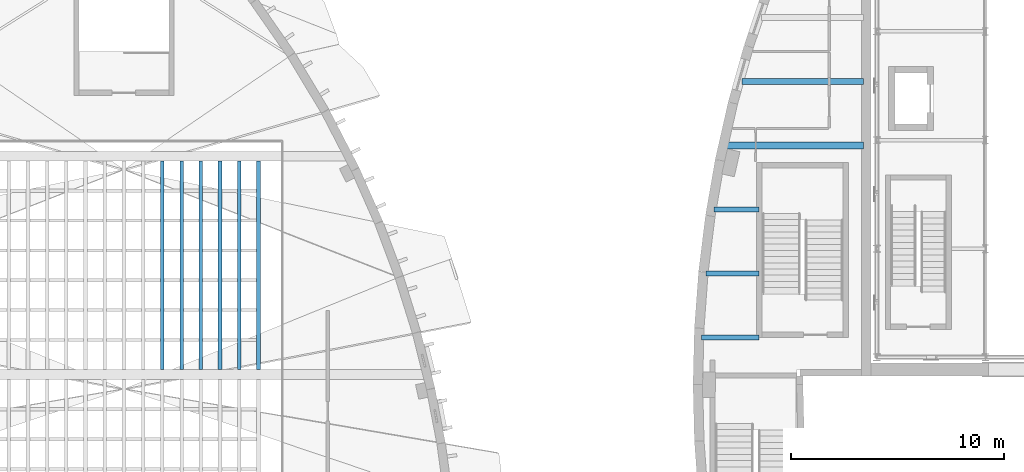
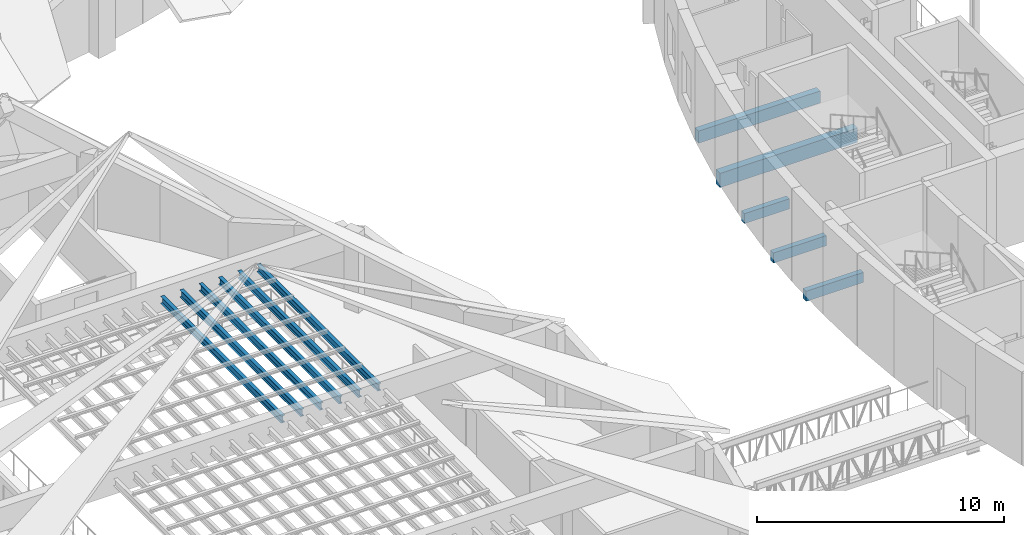
# One storey, part 12 of 56: 11 beams.
"""IFC4 building model written with IfcOpenShell, lengths in metres."""

from ifc_helpers import new_model, si_unit, direction, frame, origin, origin_2d, place, context, subcontext, project, spatial, rectangle, i_section, extrude, material, material_profile, profile_set, type_object, element, save


model = new_model("IFC4")

# Units and contexts
model_context = context("Model", 3, precision=1e-05, world=origin(), true_north=direction((0.0, 1.0)))
body_context = subcontext(model_context, "Body", "Model", "MODEL_VIEW")
ifc_project = project(units=[si_unit("LENGTHUNIT", "METRE"), si_unit("AREAUNIT", "SQUARE_METRE"), si_unit("VOLUMEUNIT", "CUBIC_METRE"), si_unit("PLANEANGLEUNIT", "RADIAN"), si_unit("MASSUNIT", "GRAM", prefix="KILO")], contexts=[model_context])

# Site, building, storey
site_placement = place(None, origin())
site = spatial("IfcSite", under=ifc_project, at=site_placement, CompositionType="ELEMENT")
building_placement = place(site_placement, origin())
building = spatial("IfcBuilding", under=site, at=building_placement, Name="Tide Square Theatres", CompositionType="ELEMENT")
storey_placement = place(building_placement, frame((0.0, 0.0, 10.199951171875)))
storey = spatial("IfcBuildingStorey", under=building, at=storey_placement, Name="L02", CompositionType="ELEMENT", Elevation=10.199951171875)

# Beams
ifc_material_1 = material(Name="Concrete C35", Category="concrete")
ifc_material_profile_1 = material_profile(ifc_material_1, rectangle(XDim=0.25, YDim=0.5, at=origin_2d()))
ifc_profile_set_1 = profile_set([ifc_material_profile_1], Name="Concrete C35")
beam_type_1 = type_object("IfcBeamType", Name="RC beam 250 x 500", PredefinedType="BEAM", material=ifc_profile_set_1)
beam_1_placement = place(storey_placement, frame((63.069091796875, 57.199951171875, -0.5), z_axis=(1.0, 0.0, 0.0), x_axis=(0.0, 1.0, 0.0)))
element("IfcBeam", 1, at=beam_1_placement, inside=storey, type_object=beam_type_1, Name="Floor beam", PredefinedType="BEAM", context=body_context, shape_type="SweptSolid", body=[
    extrude(rectangle(XDim=0.25, YDim=0.5, at=origin_2d()), origin(), (0.0, 0.0, 1.0), 2.680908203125),
])
beam_2_placement = place(storey_placement, frame((63.26953125, 60.199951171875, -0.5), z_axis=(1.0, 0.0, 0.0), x_axis=(0.0, 1.0, 0.0)))
element("IfcBeam", 2, at=beam_2_placement, inside=storey, type_object=beam_type_1, Name="Floor beam", PredefinedType="BEAM", context=body_context, shape_type="SweptSolid", body=[
    extrude(rectangle(XDim=0.25, YDim=0.5, at=origin_2d()), origin(), (0.0, 0.0, 1.0), 2.48046875),
])
beam_3_placement = place(storey_placement, frame((63.654052734375, 63.199951171875, -0.5), z_axis=(1.0, 0.0, 0.0), x_axis=(0.0, 1.0, 0.0)))
element("IfcBeam", 3, at=beam_3_placement, inside=storey, type_object=beam_type_1, Name="Floor beam", PredefinedType="BEAM", context=body_context, shape_type="SweptSolid", body=[
    extrude(rectangle(XDim=0.25, YDim=0.5, at=origin_2d()), origin(), (0.0, 0.0, 1.0), 2.095947265625),
])
ifc_material_2 = material(Name="Concrete C35", Category="concrete")
ifc_material_profile_2 = material_profile(ifc_material_2, rectangle(XDim=0.300048828125, YDim=0.60009765625, at=origin_2d()))
ifc_profile_set_2 = profile_set([ifc_material_profile_2], Name="Concrete C35")
beam_type_2 = type_object("IfcBeamType", Name="RC beam 300 x 600", PredefinedType="BEAM", material=ifc_profile_set_2)
beam_4_placement = place(storey_placement, frame((64.94970703125, 69.199951171875, -0.550048828125), z_axis=(1.0, 0.0, 0.0), x_axis=(0.0, 1.0, 0.0)))
element("IfcBeam", 4, at=beam_4_placement, inside=storey, type_object=beam_type_2, Name="Floor beam", PredefinedType="BEAM", context=body_context, shape_type="SweptSolid", body=[
    extrude(rectangle(XDim=0.300048828125, YDim=0.60009765625, at=origin_2d()), origin(), (0.0, 0.0, 1.0), 5.7001953125),
])
ifc_material_3 = material(Name="Concrete C35", Category="concrete")
ifc_material_profile_3 = material_profile(ifc_material_3, rectangle(XDim=0.35009765625, YDim=0.699951171875, at=origin_2d()))
ifc_profile_set_3 = profile_set([ifc_material_profile_3], Name="Concrete C35")
beam_type_3 = type_object("IfcBeamType", Name="RC beam 350 x 700", PredefinedType="BEAM", material=ifc_profile_set_3)
beam_5_placement = place(storey_placement, frame((64.2138671875, 66.199951171875, -0.599853515625), z_axis=(1.0, 0.0, 0.0), x_axis=(0.0, 1.0, 0.0)))
element("IfcBeam", 5, at=beam_5_placement, inside=storey, type_object=beam_type_3, Name="Floor beam", PredefinedType="BEAM", context=body_context, shape_type="SweptSolid", body=[
    extrude(rectangle(XDim=0.35009765625, YDim=0.699951171875, at=origin_2d()), origin(), (0.0, 0.0, 1.0), 6.43603515625),
])
ifc_material_4 = material(Name="Steel ASTM A572 Grade 50", Category="steel")
ifc_material_profile_4 = material_profile(ifc_material_4, i_section(OverallWidth=0.1708984375, OverallDepth=0.35498046875, WebThickness=0.007080078125, FlangeThickness=0.01171875, FilletRadius=0.011962890625, at=origin_2d()))
ifc_profile_set_4 = profile_set([ifc_material_profile_4], Name="Steel ASTM A572 Grade 50")
beam_type_4 = type_object("IfcBeamType", Name="Steel beam W 360 x 51.0", PredefinedType="BEAM", material=ifc_profile_set_4)
for number, where, z_axis, x_axis, name in (
    (6, (42.300048828125, 55.694091796875, 3.114501953125), (0.0, 1.0, 0.0), (-1.0, 0.0, 0.0), "Studio Theatre rigging grid girder"),
    (7, (41.39990234375, 55.694091796875, 3.114501953125), (0.0, 1.0, 0.0), (-1.0, 0.0, 0.0), "Studio Theatre rigging grid girder"),
    (8, (40.5, 55.694091796875, 3.114501953125), (0.0, 1.0, 0.0), (-1.0, 0.0, 0.0), "Studio Theatre rigging grid girder"),
    (9, (39.60009765625, 55.694091796875, 3.114501953125), (0.0, 1.0, 0.0), (-1.0, 0.0, 0.0), "Studio Theatre rigging grid girder"),
    (10, (38.699951171875, 55.694091796875, 3.114501953125), (0.0, 1.0, 0.0), (-1.0, 0.0, 0.0), "Studio Theatre rigging grid girder"),
    (11, (37.800048828125, 55.694091796875, 3.114501953125), (0.0, 1.0, 0.0), (-1.0, 0.0, 0.0), "Studio Theatre rigging grid girder"),
):
    element("IfcBeam", number, at=place(storey_placement, frame(where, z_axis=z_axis, x_axis=x_axis)), inside=storey, type_object=beam_type_4, Name=name, PredefinedType="BEAM", context=body_context, shape_type="SweptSolid", body=[
        extrude(i_section(OverallWidth=0.1708984375, OverallDepth=0.35498046875, WebThickness=0.007080078125, FlangeThickness=0.01171875, FilletRadius=0.011962890625, at=origin_2d()), origin(), (0.0, 0.0, 1.0), 9.782958984375),
    ])

save(model, "model.ifc")
